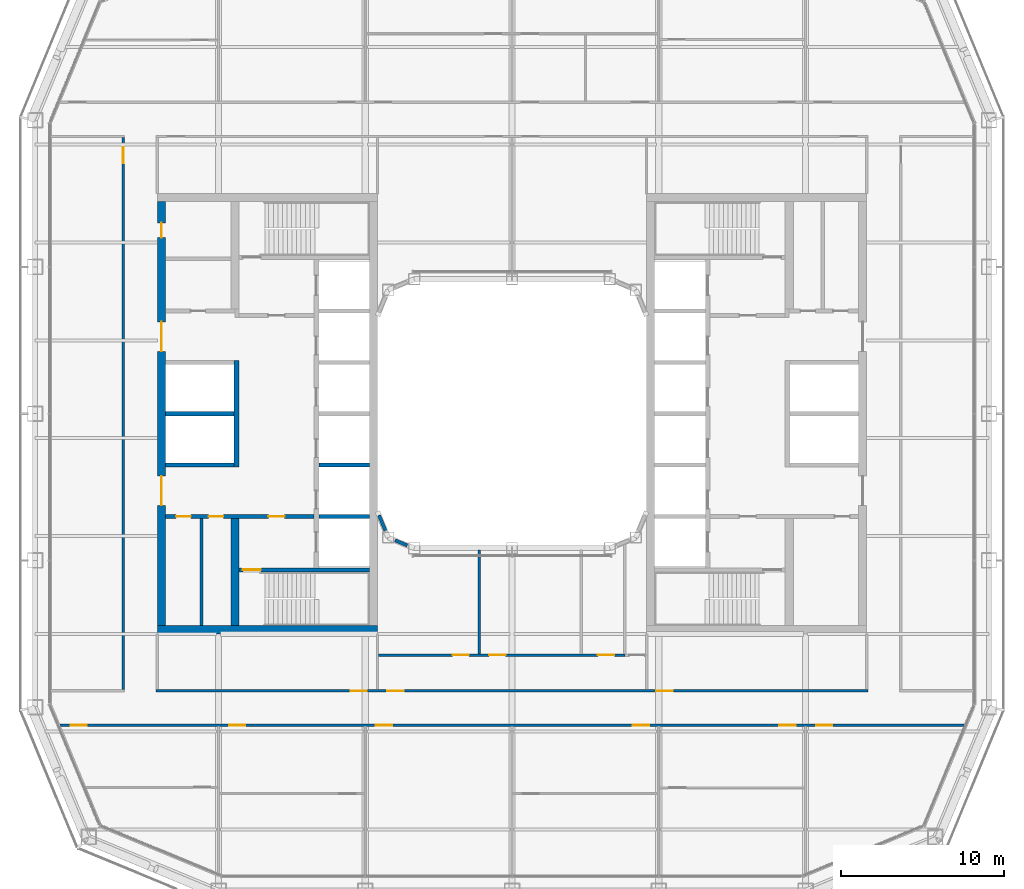
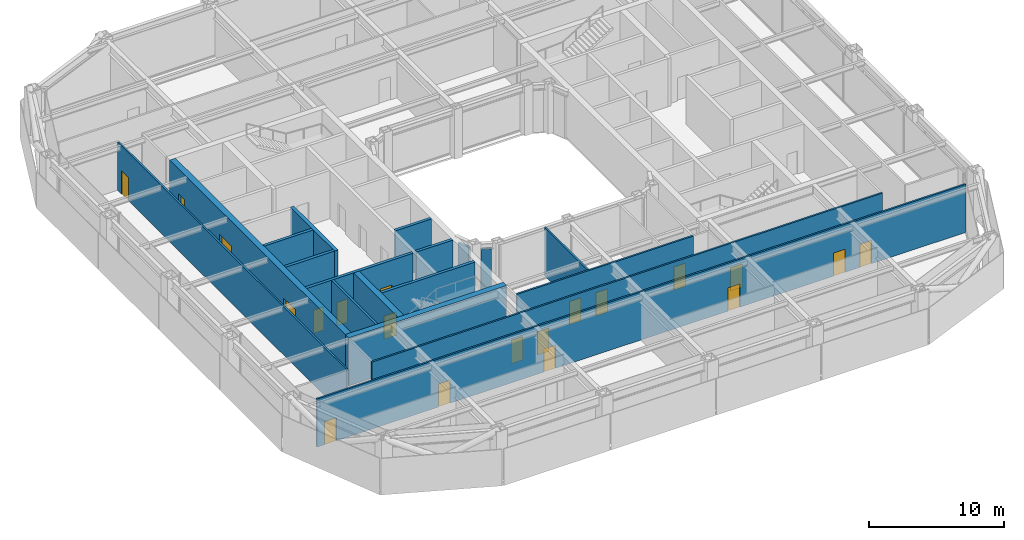
# One storey, part 11 of 21: 20 doors, 18 walls, 20 openings.
"""IFC4 building model written with IfcOpenShell, lengths in metres."""

from ifc_helpers import new_model, si_unit, direction, frame, frame_2d, origin, place, context, subcontext, project, spatial, rectangle, extrude, material, layer, layer_set, type_object, element, fill, save


model = new_model("IFC4")

# Units and contexts
model_context = context("Model", 3, precision=1e-05, world=origin(), true_north=direction((0.0, 1.0)))
body_context = subcontext(model_context, "Body", "Model", "MODEL_VIEW")
ifc_project = project(units=[si_unit("LENGTHUNIT", "METRE"), si_unit("AREAUNIT", "SQUARE_METRE"), si_unit("VOLUMEUNIT", "CUBIC_METRE"), si_unit("PLANEANGLEUNIT", "RADIAN"), si_unit("MASSUNIT", "GRAM", prefix="KILO")], contexts=[model_context])

# Site, building, storey
site_placement = place(None, origin())
site = spatial("IfcSite", under=ifc_project, at=site_placement, CompositionType="ELEMENT")
building_placement = place(site_placement, origin())
building = spatial("IfcBuilding", under=site, at=building_placement, Name="Siwar Civic Tower", CompositionType="ELEMENT")
storey_placement = place(building_placement, frame((0.0, 0.0, 104.699951171875)))
storey = spatial("IfcBuildingStorey", under=building, at=storey_placement, Name="L22", CompositionType="ELEMENT", Elevation=104.699951171875)

# Wall
ifc_material_1 = material(Name="Gypsum board on steel studs", Category="steel")
ifc_layer_1 = layer(ifc_material_1, 0.199951171875)
ifc_layer_set_1 = layer_set([ifc_layer_1], Name="Gypsum board on steel studs")
wall_type_1 = type_object("IfcWallType", Name="CORE-PARTITION-200", PredefinedType="PARTITIONING", material=ifc_layer_set_1)
wall_1_placement = place(storey_placement, frame((-19.050048828125, -13.0, 0.0), z_axis=(0.0, 0.0, 1.0), x_axis=(0.0, 1.0, 0.0)))
element("IfcWall", 1, at=wall_1_placement, inside=storey, type_object=wall_type_1, Name="Core partition W", PredefinedType="PARTITIONING", context=body_context, shape_type="SweptSolid", body=[
    extrude(rectangle(XDim=6.574951171875, YDim=0.199951171875, at=frame_2d((3.28759765625, 0.0))), origin(), (0.0, 0.0, 1.0), 4.35009765625),
])

# Wall, openings, doors
ifc_material_2 = material(Name="Concrete C60/75", Category="concrete")
ifc_layer_2 = layer(ifc_material_2, 0.25)
ifc_layer_set_2 = layer_set([ifc_layer_2], Name="Concrete C60/75")
wall_type_2 = type_object("IfcWallType", Name="CORE-WALL-RC250", PredefinedType="SHEAR", material=ifc_layer_set_2)
wall_2_placement = place(storey_placement, frame((-12.14990234375, -6.300048828125, 0.0), z_axis=(0.0, 0.0, 1.0), x_axis=(-1.0, 0.0, 0.0)))
wall_2 = element("IfcWall", 2, at=wall_2_placement, inside=storey, type_object=wall_type_2, Name="Core wall W", PredefinedType="SHEAR", context=body_context, shape_type="SweptSolid", body=[
    extrude(rectangle(XDim=9.10009765625, YDim=0.25, at=frame_2d((4.550048828125, 0.0))), origin(), (0.0, 0.0, 1.0), 4.35009765625),
])
opening_1_placement = place(wall_2_placement, frame((1.800048828125, 0.0, 0.0)))
opening_1 = element("IfcOpeningElement", 3, at=opening_1_placement, cuts=wall_2, Name="Opening L22-CW02", PredefinedType="OPENING", context=body_context, shape_type="SweptSolid", body=[
    extrude(rectangle(XDim=1.0, YDim=2.10009765625, at=frame_2d((0.5, 1.050048828125))), frame((0.0, 0.135009765625, 0.0), z_axis=(0.0, -1.0, 0.0), x_axis=(1.0, 0.0, 0.0)), (0.0, 0.0, 1.0), 0.27001953125),
])
opening_2_placement = place(wall_2_placement, frame((5.550048828125, 0.0, 0.0)))
opening_2 = element("IfcOpeningElement", 4, at=opening_2_placement, cuts=wall_2, Name="Opening L22-CW15", PredefinedType="OPENING", context=body_context, shape_type="SweptSolid", body=[
    extrude(rectangle(XDim=0.89990234375, YDim=2.10009765625, at=frame_2d((0.449951171875, 1.050048828125))), frame((0.0, 0.135009765625, 0.0), z_axis=(0.0, -1.0, 0.0), x_axis=(1.0, 0.0, 0.0)), (0.0, 0.0, 1.0), 0.27001953125),
])
opening_3_placement = place(wall_2_placement, frame((7.550048828125, 0.0, 0.0)))
opening_3 = element("IfcOpeningElement", 5, at=opening_3_placement, cuts=wall_2, Name="Opening L22-CW16", PredefinedType="OPENING", context=body_context, shape_type="SweptSolid", body=[
    extrude(rectangle(XDim=0.89990234375, YDim=2.10009765625, at=frame_2d((0.449951171875, 1.050048828125))), frame((0.0, 0.135009765625, 0.0), z_axis=(0.0, -1.0, 0.0), x_axis=(1.0, 0.0, 0.0)), (0.0, 0.0, 1.0), 0.27001953125),
])
ifc_material_3 = material(Name="Steel door leaf", Category="steel")
door_type_1 = type_object("IfcDoorType", Name="CORE-DOOR-FD30S", OperationType="SINGLE_SWING_LEFT", PredefinedType="DOOR", material=ifc_material_3)
door_1_placement = place(opening_1_placement, origin())
door_1 = element("IfcDoor", 6, at=door_1_placement, inside=storey, type_object=door_type_1, Name="Service lobby door L22-CW02", OperationType="SINGLE_SWING_RIGHT", OverallHeight=2.10009765625, OverallWidth=1.0, PredefinedType="DOOR", context=body_context, shape_type="SweptSolid", body=[
    extrude(rectangle(XDim=1.0, YDim=2.10009765625, at=frame_2d((0.5, 1.050048828125))), frame((0.0, 0.02490234375, 0.0), z_axis=(0.0, -1.0, 0.0), x_axis=(1.0, 0.0, 0.0)), (0.0, 0.0, 1.0), 0.050048828125),
])
fill(opening_1, door_1)
ifc_material_4 = material(Name="Steel door leaf", Category="steel")
door_type_2 = type_object("IfcDoorType", Name="CORE-DOOR-ROOM", OperationType="SINGLE_SWING_LEFT", PredefinedType="DOOR", material=ifc_material_4)
door_2_placement = place(opening_2_placement, origin())
door_2 = element("IfcDoor", 7, at=door_2_placement, inside=storey, type_object=door_type_2, Name="Core room door L22-CW15", OperationType="SINGLE_SWING_LEFT", OverallHeight=2.10009765625, OverallWidth=0.89990234375, PredefinedType="DOOR", context=body_context, shape_type="SweptSolid", body=[
    extrude(rectangle(XDim=0.89990234375, YDim=2.10009765625, at=frame_2d((0.449951171875, 1.050048828125))), frame((0.0, 0.02490234375, 0.0), z_axis=(0.0, -1.0, 0.0), x_axis=(1.0, 0.0, 0.0)), (0.0, 0.0, 1.0), 0.050048828125),
])
fill(opening_2, door_2)
door_3_placement = place(opening_3_placement, origin())
door_3 = element("IfcDoor", 8, at=door_3_placement, inside=storey, type_object=door_type_2, Name="Core room door L22-CW16", OperationType="SINGLE_SWING_RIGHT", OverallHeight=2.10009765625, OverallWidth=0.89990234375, PredefinedType="DOOR", context=body_context, shape_type="SweptSolid", body=[
    extrude(rectangle(XDim=0.89990234375, YDim=2.10009765625, at=frame_2d((0.449951171875, 1.050048828125))), frame((0.0, 0.02490234375, 0.0), z_axis=(0.0, -1.0, 0.0), x_axis=(1.0, 0.0, 0.0)), (0.0, 0.0, 1.0), 0.050048828125),
])
fill(opening_3, door_3)

# Walls
for number, where, z_axis, x_axis, name in (
    (9, (-17.050048828125, 0.0, 0.0), (0.0, 0.0, 1.0), (-1.0, 0.0, 0.0), "Core wall W"),
    (10, (-17.050048828125, -3.14990234375, 0.0), (0.0, 0.0, 1.0), (-1.0, 0.0, 0.0), "Core wall W"),
):
    element("IfcWall", number, at=place(storey_placement, frame(where, z_axis=z_axis, x_axis=x_axis)), inside=storey, type_object=wall_type_2, Name=name, PredefinedType="SHEAR", context=body_context, shape_type="SweptSolid", body=[
        extrude(rectangle(XDim=4.199951171875, YDim=0.25, at=frame_2d((2.10009765625, 0.0))), origin(), (0.0, 0.0, 1.0), 4.35009765625),
    ])
for number, where, z_axis, x_axis, name in (
    (11, (-8.75, -3.14990234375, 0.0), (0.0, 0.0, 1.0), (-1.0, 0.0, 0.0), "Core wall W"),
    (12, (-8.75, -6.300048828125, 0.0), (0.0, 0.0, 1.0), (-1.0, 0.0, 0.0), "Core wall W"),
):
    element("IfcWall", number, at=place(storey_placement, frame(where, z_axis=z_axis, x_axis=x_axis)), inside=storey, type_object=wall_type_2, Name=name, PredefinedType="SHEAR", context=body_context, shape_type="SweptSolid", body=[
        extrude(rectangle(XDim=3.10009765625, YDim=0.25, at=frame_2d((1.550048828125, 0.0))), origin(), (0.0, 0.0, 1.0), 4.35009765625),
    ])

# Wall, opening, door
wall_3_placement = place(storey_placement, frame((-8.75, -9.574951171875, 0.0), z_axis=(0.0, 0.0, 1.0), x_axis=(-1.0, 0.0, 0.0)))
wall_3 = element("IfcWall", 13, at=wall_3_placement, inside=storey, type_object=wall_type_2, Name="Core wall W", PredefinedType="SHEAR", context=body_context, shape_type="SweptSolid", body=[
    extrude(rectangle(XDim=8.0, YDim=0.25, at=frame_2d((4.0, 0.0))), origin(), (0.0, 0.0, 1.0), 4.35009765625),
])
opening_4_placement = place(wall_3_placement, frame((6.64990234375, 0.0, 0.0)))
opening_4 = element("IfcOpeningElement", 14, at=opening_4_placement, cuts=wall_3, Name="Opening L22-CW04", PredefinedType="OPENING", context=body_context, shape_type="SweptSolid", body=[
    extrude(rectangle(XDim=1.10009765625, YDim=2.10009765625, at=frame_2d((0.550048828125, 1.050048828125))), frame((0.0, 0.135009765625, 0.0), z_axis=(0.0, -1.0, 0.0), x_axis=(1.0, 0.0, 0.0)), (0.0, 0.0, 1.0), 0.27001953125),
])
ifc_material_5 = material(Name="Steel door leaf", Category="steel")
door_type_3 = type_object("IfcDoorType", Name="CORE-DOOR-FD60S", OperationType="SINGLE_SWING_LEFT", PredefinedType="DOOR", material=ifc_material_5)
door_4_placement = place(opening_4_placement, origin())
door_4 = element("IfcDoor", 15, at=door_4_placement, inside=storey, type_object=door_type_3, Name="Stair door L22-CW04", OperationType="SINGLE_SWING_LEFT", OverallHeight=2.10009765625, OverallWidth=1.10009765625, PredefinedType="DOOR", context=body_context, shape_type="SweptSolid", body=[
    extrude(rectangle(XDim=1.10009765625, YDim=2.10009765625, at=frame_2d((0.550048828125, 1.050048828125))), frame((0.0, 0.02490234375, 0.0), z_axis=(0.0, -1.0, 0.0), x_axis=(1.0, 0.0, 0.0)), (0.0, 0.0, 1.0), 0.050048828125),
])
fill(opening_4, door_4)

# Wall
ifc_material_6 = material(Name="Concrete C60/75", Category="concrete")
ifc_layer_3 = layer(ifc_material_6, 0.300048828125)
ifc_layer_set_3 = layer_set([ifc_layer_3], Name="Concrete C60/75")
wall_type_3 = type_object("IfcWallType", Name="CORE-WALL-RC300", PredefinedType="SHEAR", material=ifc_layer_set_3)
wall_4_placement = place(storey_placement, frame((-16.89990234375, -3.27490234375, 0.0), z_axis=(0.0, 0.0, 1.0), x_axis=(0.0, 1.0, 0.0)))
element("IfcWall", 16, at=wall_4_placement, inside=storey, type_object=wall_type_3, Name="Core wall W", PredefinedType="SHEAR", context=body_context, shape_type="SweptSolid", body=[
    extrude(rectangle(XDim=6.5498046875, YDim=0.300048828125, at=frame_2d((3.27490234375, 0.0))), origin(), (0.0, 0.0, 1.0), 4.35009765625),
])

# Wall, openings, doors
ifc_material_7 = material(Name="Concrete C60/75", Category="concrete")
ifc_layer_4 = layer(ifc_material_7, 0.5)
ifc_layer_set_4 = layer_set([ifc_layer_4], Name="Concrete C60/75")
wall_type_4 = type_object("IfcWallType", Name="CORE-WALL-RC500", PredefinedType="SHEAR", material=ifc_layer_set_4)
wall_5_placement = place(storey_placement, frame((-21.5, -13.0, 0.0), z_axis=(0.0, 0.0, 1.0), x_axis=(0.0, 1.0, 0.0)))
wall_5 = element("IfcWall", 17, at=wall_5_placement, inside=storey, type_object=wall_type_4, Name="Core wall W", PredefinedType="SHEAR", context=body_context, shape_type="SweptSolid", body=[
    extrude(rectangle(XDim=26.0, YDim=0.5, at=frame_2d((13.0, 0.0))), origin(), (0.0, 0.0, 1.0), 4.35009765625),
])
opening_5_placement = place(wall_5_placement, frame((16.824951171875, 0.0, 0.0)))
opening_5 = element("IfcOpeningElement", 18, at=opening_5_placement, cuts=wall_5, Name="Opening L22-CW05", PredefinedType="OPENING", context=body_context, shape_type="SweptSolid", body=[
    extrude(rectangle(XDim=1.800048828125, YDim=2.10009765625, at=frame_2d((0.89990234375, 1.050048828125))), frame((0.0, 0.260009765625, 0.0), z_axis=(0.0, -1.0, 0.0), x_axis=(1.0, 0.0, 0.0)), (0.0, 0.0, 1.0), 0.52001953125),
])
opening_6_placement = place(wall_5_placement, frame((7.375, 0.0, 0.0)))
opening_6 = element("IfcOpeningElement", 19, at=opening_6_placement, cuts=wall_5, Name="Opening L22-CW06", PredefinedType="OPENING", context=body_context, shape_type="SweptSolid", body=[
    extrude(rectangle(XDim=1.800048828125, YDim=2.10009765625, at=frame_2d((0.89990234375, 1.050048828125))), frame((0.0, 0.260009765625, 0.0), z_axis=(0.0, -1.0, 0.0), x_axis=(1.0, 0.0, 0.0)), (0.0, 0.0, 1.0), 0.52001953125),
])
opening_7_placement = place(wall_5_placement, frame((23.800048828125, 0.0, 0.0)))
opening_7 = element("IfcOpeningElement", 20, at=opening_7_placement, cuts=wall_5, Name="Opening L22-CW14", PredefinedType="OPENING", context=body_context, shape_type="SweptSolid", body=[
    extrude(rectangle(XDim=0.89990234375, YDim=2.10009765625, at=frame_2d((0.449951171875, 1.050048828125))), frame((0.0, 0.260009765625, 0.0), z_axis=(0.0, -1.0, 0.0), x_axis=(1.0, 0.0, 0.0)), (0.0, 0.0, 1.0), 0.52001953125),
])
ifc_material_8 = material(Name="Steel door leaf", Category="steel")
door_type_4 = type_object("IfcDoorType", Name="CORE-DOOR-PORT", OperationType="DOUBLE_DOOR_DOUBLE_SWING", PredefinedType="DOOR", material=ifc_material_8)
door_5_placement = place(opening_5_placement, origin())
door_5 = element("IfcDoor", 21, at=door_5_placement, inside=storey, type_object=door_type_4, Name="Core entrance door L22-CW05", OperationType="DOUBLE_DOOR_DOUBLE_SWING", OverallHeight=2.10009765625, OverallWidth=1.800048828125, PredefinedType="DOOR", context=body_context, shape_type="SweptSolid", body=[
    extrude(rectangle(XDim=1.800048828125, YDim=2.10009765625, at=frame_2d((0.89990234375, 1.050048828125))), frame((0.0, 0.02490234375, 0.0), z_axis=(0.0, -1.0, 0.0), x_axis=(1.0, 0.0, 0.0)), (0.0, 0.0, 1.0), 0.050048828125),
])
fill(opening_5, door_5)
door_6_placement = place(opening_6_placement, origin())
door_6 = element("IfcDoor", 22, at=door_6_placement, inside=storey, type_object=door_type_4, Name="Core entrance door L22-CW06", OperationType="DOUBLE_DOOR_DOUBLE_SWING", OverallHeight=2.10009765625, OverallWidth=1.800048828125, PredefinedType="DOOR", context=body_context, shape_type="SweptSolid", body=[
    extrude(rectangle(XDim=1.800048828125, YDim=2.10009765625, at=frame_2d((0.89990234375, 1.050048828125))), frame((0.0, 0.02490234375, 0.0), z_axis=(0.0, -1.0, 0.0), x_axis=(1.0, 0.0, 0.0)), (0.0, 0.0, 1.0), 0.050048828125),
])
fill(opening_6, door_6)
door_7_placement = place(opening_7_placement, origin())
door_7 = element("IfcDoor", 23, at=door_7_placement, inside=storey, type_object=door_type_2, Name="Core room door L22-CW14", OperationType="SINGLE_SWING_LEFT", OverallHeight=2.10009765625, OverallWidth=0.89990234375, PredefinedType="DOOR", context=body_context, shape_type="SweptSolid", body=[
    extrude(rectangle(XDim=0.89990234375, YDim=2.10009765625, at=frame_2d((0.449951171875, 1.050048828125))), frame((0.0, 0.02490234375, 0.0), z_axis=(0.0, -1.0, 0.0), x_axis=(1.0, 0.0, 0.0)), (0.0, 0.0, 1.0), 0.050048828125),
])
fill(opening_7, door_7)

# Walls
wall_6_placement = place(storey_placement, frame((-17.0, -13.0, 0.0), z_axis=(0.0, 0.0, 1.0), x_axis=(0.0, 1.0, 0.0)))
element("IfcWall", 24, at=wall_6_placement, inside=storey, type_object=wall_type_4, Name="Core wall W", PredefinedType="SHEAR", context=body_context, shape_type="SweptSolid", body=[
    extrude(rectangle(XDim=6.574951171875, YDim=0.5, at=frame_2d((3.28759765625, 0.0))), origin(), (0.0, 0.0, 1.0), 4.35009765625),
])
wall_7_placement = place(storey_placement, frame((-8.25, -13.25, 0.0), z_axis=(0.0, 0.0, 1.0), x_axis=(-1.0, 0.0, 0.0)))
element("IfcWall", 25, at=wall_7_placement, inside=storey, type_object=wall_type_4, Name="Core wall W", PredefinedType="SHEAR", context=body_context, shape_type="SweptSolid", body=[
    extrude(rectangle(XDim=13.5, YDim=0.5, at=frame_2d((6.75, 0.0))), origin(), (0.0, 0.0, 1.0), 4.35009765625),
])

# Wall, openings, doors
ifc_material_9 = material(Name="Gypsum board on steel studs", Category="steel")
ifc_layer_5 = layer(ifc_material_9, 0.14990234375)
ifc_layer_set_5 = layer_set([ifc_layer_5], Name="Gypsum board on steel studs")
wall_type_5 = type_object("IfcWallType", Name="CORRIDOR PARTITION 150 EI 30", PredefinedType="PARTITIONING", material=ifc_layer_set_5)
wall_8_placement = place(storey_placement, frame((-27.722900390625, -19.10009765625, 0.0), z_axis=(0.0, 0.0, 1.0), x_axis=(1.0, 0.0, 0.0)))
wall_8 = element("IfcWall", 26, at=wall_8_placement, inside=storey, type_object=wall_type_5, Name="L22/wall/P05", PredefinedType="PARTITIONING", context=body_context, shape_type="SweptSolid", body=[
    extrude(rectangle(XDim=55.44580078125, YDim=0.14990234375, at=frame_2d((27.722900390625, 0.0))), origin(), (0.0, 0.0, 1.0), 4.35009765625),
])
opening_8_placement = place(wall_8_placement, frame((10.373046875, 0.0, 0.0)))
opening_8 = element("IfcOpeningElement", 27, at=opening_8_placement, cuts=wall_8, Name="Opening D1", PredefinedType="OPENING", context=body_context, shape_type="SweptSolid", body=[
    extrude(rectangle(XDim=1.0, YDim=2.10009765625, at=frame_2d((0.5, 1.050048828125))), frame((0.0, 0.0849609375, 0.0), z_axis=(0.0, -1.0, 0.0), x_axis=(1.0, 0.0, 0.0)), (0.0, 0.0, 1.0), 0.169921875),
])
opening_9_placement = place(wall_8_placement, frame((19.373046875, 0.0, 0.0)))
opening_9 = element("IfcOpeningElement", 28, at=opening_9_placement, cuts=wall_8, Name="Opening D1", PredefinedType="OPENING", context=body_context, shape_type="SweptSolid", body=[
    extrude(rectangle(XDim=1.0, YDim=2.10009765625, at=frame_2d((0.5, 1.050048828125))), frame((0.0, 0.0849609375, 0.0), z_axis=(0.0, -1.0, 0.0), x_axis=(1.0, 0.0, 0.0)), (0.0, 0.0, 1.0), 0.169921875),
])
opening_10_placement = place(wall_8_placement, frame((35.123046875, 0.0, 0.0)))
opening_10 = element("IfcOpeningElement", 29, at=opening_10_placement, cuts=wall_8, Name="Opening D1", PredefinedType="OPENING", context=body_context, shape_type="SweptSolid", body=[
    extrude(rectangle(XDim=1.0, YDim=2.10009765625, at=frame_2d((0.5, 1.050048828125))), frame((0.0, 0.0849609375, 0.0), z_axis=(0.0, -1.0, 0.0), x_axis=(1.0, 0.0, 0.0)), (0.0, 0.0, 1.0), 0.169921875),
])
opening_11_placement = place(wall_8_placement, frame((44.123046875, 0.0, 0.0)))
opening_11 = element("IfcOpeningElement", 30, at=opening_11_placement, cuts=wall_8, Name="Opening D1", PredefinedType="OPENING", context=body_context, shape_type="SweptSolid", body=[
    extrude(rectangle(XDim=1.0, YDim=2.10009765625, at=frame_2d((0.5, 1.050048828125))), frame((0.0, 0.0849609375, 0.0), z_axis=(0.0, -1.0, 0.0), x_axis=(1.0, 0.0, 0.0)), (0.0, 0.0, 1.0), 0.169921875),
])
opening_12_placement = place(wall_8_placement, frame((0.64990234375, 0.0, 0.0)))
opening_12 = element("IfcOpeningElement", 31, at=opening_12_placement, cuts=wall_8, Name="Opening D1", PredefinedType="OPENING", context=body_context, shape_type="SweptSolid", body=[
    extrude(rectangle(XDim=1.0, YDim=2.10009765625, at=frame_2d((0.5, 1.050048828125))), frame((0.0, 0.0849609375, 0.0), z_axis=(0.0, -1.0, 0.0), x_axis=(1.0, 0.0, 0.0)), (0.0, 0.0, 1.0), 0.169921875),
])
opening_13_placement = place(wall_8_placement, frame((46.373046875, 0.0, 0.0)))
opening_13 = element("IfcOpeningElement", 32, at=opening_13_placement, cuts=wall_8, Name="Opening D1", PredefinedType="OPENING", context=body_context, shape_type="SweptSolid", body=[
    extrude(rectangle(XDim=1.0, YDim=2.10009765625, at=frame_2d((0.5, 1.050048828125))), frame((0.0, 0.0849609375, 0.0), z_axis=(0.0, -1.0, 0.0), x_axis=(1.0, 0.0, 0.0)), (0.0, 0.0, 1.0), 0.169921875),
])
ifc_material_10 = material(Name="Timber, painted", Category="wood")
door_type_5 = type_object("IfcDoorType", Name="DOOR 1000 X 2100 FD30", OperationType="SINGLE_SWING_LEFT", PredefinedType="DOOR", material=ifc_material_10)
door_8_placement = place(opening_8_placement, origin())
door_8 = element("IfcDoor", 33, at=door_8_placement, inside=storey, type_object=door_type_5, Name="L22-D09", OperationType="SINGLE_SWING_LEFT", OverallHeight=2.10009765625, OverallWidth=1.0, PredefinedType="DOOR", context=body_context, shape_type="SweptSolid", body=[
    extrude(rectangle(XDim=1.0, YDim=2.10009765625, at=frame_2d((0.5, 1.050048828125))), frame((0.0, 0.02490234375, 0.0), z_axis=(0.0, -1.0, 0.0), x_axis=(1.0, 0.0, 0.0)), (0.0, 0.0, 1.0), 0.050048828125),
])
fill(opening_8, door_8)
door_9_placement = place(opening_9_placement, origin())
door_9 = element("IfcDoor", 34, at=door_9_placement, inside=storey, type_object=door_type_5, Name="L22-D11", OperationType="SINGLE_SWING_LEFT", OverallHeight=2.10009765625, OverallWidth=1.0, PredefinedType="DOOR", context=body_context, shape_type="SweptSolid", body=[
    extrude(rectangle(XDim=1.0, YDim=2.10009765625, at=frame_2d((0.5, 1.050048828125))), frame((0.0, 0.02490234375, 0.0), z_axis=(0.0, -1.0, 0.0), x_axis=(1.0, 0.0, 0.0)), (0.0, 0.0, 1.0), 0.050048828125),
])
fill(opening_9, door_9)
door_10_placement = place(opening_10_placement, origin())
door_10 = element("IfcDoor", 35, at=door_10_placement, inside=storey, type_object=door_type_5, Name="L22-D12", OperationType="SINGLE_SWING_RIGHT", OverallHeight=2.10009765625, OverallWidth=1.0, PredefinedType="DOOR", context=body_context, shape_type="SweptSolid", body=[
    extrude(rectangle(XDim=1.0, YDim=2.10009765625, at=frame_2d((0.5, 1.050048828125))), frame((0.0, 0.02490234375, 0.0), z_axis=(0.0, -1.0, 0.0), x_axis=(1.0, 0.0, 0.0)), (0.0, 0.0, 1.0), 0.050048828125),
])
fill(opening_10, door_10)
door_11_placement = place(opening_11_placement, origin())
door_11 = element("IfcDoor", 36, at=door_11_placement, inside=storey, type_object=door_type_5, Name="L22-D14", OperationType="SINGLE_SWING_RIGHT", OverallHeight=2.10009765625, OverallWidth=1.0, PredefinedType="DOOR", context=body_context, shape_type="SweptSolid", body=[
    extrude(rectangle(XDim=1.0, YDim=2.10009765625, at=frame_2d((0.5, 1.050048828125))), frame((0.0, 0.02490234375, 0.0), z_axis=(0.0, -1.0, 0.0), x_axis=(1.0, 0.0, 0.0)), (0.0, 0.0, 1.0), 0.050048828125),
])
fill(opening_11, door_11)
door_12_placement = place(opening_12_placement, origin())
door_12 = element("IfcDoor", 37, at=door_12_placement, inside=storey, type_object=door_type_5, Name="L22-D19", OperationType="SINGLE_SWING_LEFT", OverallHeight=2.10009765625, OverallWidth=1.0, PredefinedType="DOOR", context=body_context, shape_type="SweptSolid", body=[
    extrude(rectangle(XDim=1.0, YDim=2.10009765625, at=frame_2d((0.5, 1.050048828125))), frame((0.0, 0.02490234375, 0.0), z_axis=(0.0, -1.0, 0.0), x_axis=(1.0, 0.0, 0.0)), (0.0, 0.0, 1.0), 0.050048828125),
])
fill(opening_12, door_12)
door_13_placement = place(opening_13_placement, origin())
door_13 = element("IfcDoor", 38, at=door_13_placement, inside=storey, type_object=door_type_5, Name="L22-D21", OperationType="SINGLE_SWING_LEFT", OverallHeight=2.10009765625, OverallWidth=1.0, PredefinedType="DOOR", context=body_context, shape_type="SweptSolid", body=[
    extrude(rectangle(XDim=1.0, YDim=2.10009765625, at=frame_2d((0.5, 1.050048828125))), frame((0.0, 0.02490234375, 0.0), z_axis=(0.0, -1.0, 0.0), x_axis=(1.0, 0.0, 0.0)), (0.0, 0.0, 1.0), 0.050048828125),
])
fill(opening_13, door_13)

wall_9_placement = place(storey_placement, frame((-21.824951171875, -17.0, 0.0), z_axis=(0.0, 0.0, 1.0), x_axis=(1.0, 0.0, 0.0)))
wall_9 = element("IfcWall", 39, at=wall_9_placement, inside=storey, type_object=wall_type_5, Name="L22/wall/P07", PredefinedType="PARTITIONING", context=body_context, shape_type="SweptSolid", body=[
    extrude(rectangle(XDim=43.64990234375, YDim=0.14990234375, at=frame_2d((21.824951171875, 0.0))), origin(), (0.0, 0.0, 1.0), 4.35009765625),
])
opening_14_placement = place(wall_9_placement, frame((14.175048828125, 0.0, 0.0)))
opening_14 = element("IfcOpeningElement", 40, at=opening_14_placement, cuts=wall_9, Name="Opening D1", PredefinedType="OPENING", context=body_context, shape_type="SweptSolid", body=[
    extrude(rectangle(XDim=1.0, YDim=2.10009765625, at=frame_2d((0.5, 1.050048828125))), frame((0.0, 0.0849609375, 0.0), z_axis=(0.0, -1.0, 0.0), x_axis=(1.0, 0.0, 0.0)), (0.0, 0.0, 1.0), 0.169921875),
])
opening_15_placement = place(wall_9_placement, frame((11.925048828125, 0.0, 0.0)))
opening_15 = element("IfcOpeningElement", 41, at=opening_15_placement, cuts=wall_9, Name="Opening D1", PredefinedType="OPENING", context=body_context, shape_type="SweptSolid", body=[
    extrude(rectangle(XDim=1.0, YDim=2.10009765625, at=frame_2d((0.5, 1.050048828125))), frame((0.0, 0.0849609375, 0.0), z_axis=(0.0, -1.0, 0.0), x_axis=(1.0, 0.0, 0.0)), (0.0, 0.0, 1.0), 0.169921875),
])
opening_16_placement = place(wall_9_placement, frame((30.675048828125, 0.0, 0.0)))
opening_16 = element("IfcOpeningElement", 42, at=opening_16_placement, cuts=wall_9, Name="Opening D1", PredefinedType="OPENING", context=body_context, shape_type="SweptSolid", body=[
    extrude(rectangle(XDim=1.0, YDim=2.10009765625, at=frame_2d((0.5, 1.050048828125))), frame((0.0, 0.0849609375, 0.0), z_axis=(0.0, -1.0, 0.0), x_axis=(1.0, 0.0, 0.0)), (0.0, 0.0, 1.0), 0.169921875),
])
door_14_placement = place(opening_14_placement, origin())
door_14 = element("IfcDoor", 43, at=door_14_placement, inside=storey, type_object=door_type_5, Name="L22-D24", OperationType="SINGLE_SWING_RIGHT", OverallHeight=2.10009765625, OverallWidth=1.0, PredefinedType="DOOR", context=body_context, shape_type="SweptSolid", body=[
    extrude(rectangle(XDim=1.0, YDim=2.10009765625, at=frame_2d((0.5, 1.050048828125))), frame((0.0, 0.02490234375, 0.0), z_axis=(0.0, -1.0, 0.0), x_axis=(1.0, 0.0, 0.0)), (0.0, 0.0, 1.0), 0.050048828125),
])
fill(opening_14, door_14)
door_15_placement = place(opening_15_placement, origin())
door_15 = element("IfcDoor", 44, at=door_15_placement, inside=storey, type_object=door_type_5, Name="L22-D31", OperationType="SINGLE_SWING_LEFT", OverallHeight=2.10009765625, OverallWidth=1.0, PredefinedType="DOOR", context=body_context, shape_type="SweptSolid", body=[
    extrude(rectangle(XDim=1.0, YDim=2.10009765625, at=frame_2d((0.5, 1.050048828125))), frame((0.0, 0.02490234375, 0.0), z_axis=(0.0, -1.0, 0.0), x_axis=(1.0, 0.0, 0.0)), (0.0, 0.0, 1.0), 0.050048828125),
])
fill(opening_15, door_15)
door_16_placement = place(opening_16_placement, origin())
door_16 = element("IfcDoor", 45, at=door_16_placement, inside=storey, type_object=door_type_5, Name="L22-D32", OperationType="SINGLE_SWING_RIGHT", OverallHeight=2.10009765625, OverallWidth=1.0, PredefinedType="DOOR", context=body_context, shape_type="SweptSolid", body=[
    extrude(rectangle(XDim=1.0, YDim=2.10009765625, at=frame_2d((0.5, 1.050048828125))), frame((0.0, 0.02490234375, 0.0), z_axis=(0.0, -1.0, 0.0), x_axis=(1.0, 0.0, 0.0)), (0.0, 0.0, 1.0), 0.050048828125),
])
fill(opening_16, door_16)

wall_10_placement = place(storey_placement, frame((-8.175048828125, -14.800048828125, 0.0), z_axis=(0.0, 0.0, 1.0), x_axis=(1.0, 0.0, 0.0)))
wall_10 = element("IfcWall", 46, at=wall_10_placement, inside=storey, type_object=wall_type_5, Name="L22/wall/P09", PredefinedType="PARTITIONING", context=body_context, shape_type="SweptSolid", body=[
    extrude(rectangle(XDim=15.094970703125, YDim=0.14990234375, at=frame_2d((7.54736328125, 0.0))), origin(), (0.0, 0.0, 1.0), 4.35009765625),
])
opening_17_placement = place(wall_10_placement, frame((4.52490234375, 0.0, 0.0)))
opening_17 = element("IfcOpeningElement", 47, at=opening_17_placement, cuts=wall_10, Name="Opening D3", PredefinedType="OPENING", context=body_context, shape_type="SweptSolid", body=[
    extrude(rectangle(XDim=1.0, YDim=2.10009765625, at=frame_2d((0.5, 1.050048828125))), frame((0.0, 0.0849609375, 0.0), z_axis=(0.0, -1.0, 0.0), x_axis=(1.0, 0.0, 0.0)), (0.0, 0.0, 1.0), 0.169921875),
])
opening_18_placement = place(wall_10_placement, frame((6.77490234375, 0.0, 0.0)))
opening_18 = element("IfcOpeningElement", 48, at=opening_18_placement, cuts=wall_10, Name="Opening D3", PredefinedType="OPENING", context=body_context, shape_type="SweptSolid", body=[
    extrude(rectangle(XDim=1.0, YDim=2.10009765625, at=frame_2d((0.5, 1.050048828125))), frame((0.0, 0.0849609375, 0.0), z_axis=(0.0, -1.0, 0.0), x_axis=(1.0, 0.0, 0.0)), (0.0, 0.0, 1.0), 0.169921875),
])
opening_19_placement = place(wall_10_placement, frame((13.445068359375, 0.0, 0.0)))
opening_19 = element("IfcOpeningElement", 49, at=opening_19_placement, cuts=wall_10, Name="Opening D3", PredefinedType="OPENING", context=body_context, shape_type="SweptSolid", body=[
    extrude(rectangle(XDim=1.0, YDim=2.10009765625, at=frame_2d((0.5, 1.050048828125))), frame((0.0, 0.0849609375, 0.0), z_axis=(0.0, -1.0, 0.0), x_axis=(1.0, 0.0, 0.0)), (0.0, 0.0, 1.0), 0.169921875),
])
ifc_material_11 = material(Name="Timber, painted", Category="wood")
door_type_6 = type_object("IfcDoorType", Name="DOOR 1000 X 2100 WC", OperationType="SINGLE_SWING_LEFT", PredefinedType="DOOR", material=ifc_material_11)
door_17_placement = place(opening_17_placement, origin())
door_17 = element("IfcDoor", 50, at=door_17_placement, inside=storey, type_object=door_type_6, Name="L22-D25", OperationType="SINGLE_SWING_LEFT", OverallHeight=2.10009765625, OverallWidth=1.0, PredefinedType="DOOR", context=body_context, shape_type="SweptSolid", body=[
    extrude(rectangle(XDim=1.0, YDim=2.10009765625, at=frame_2d((0.5, 1.050048828125))), frame((0.0, 0.02490234375, 0.0), z_axis=(0.0, -1.0, 0.0), x_axis=(1.0, 0.0, 0.0)), (0.0, 0.0, 1.0), 0.050048828125),
])
fill(opening_17, door_17)
door_18_placement = place(opening_18_placement, origin())
door_18 = element("IfcDoor", 51, at=door_18_placement, inside=storey, type_object=door_type_6, Name="L22-D26", OperationType="SINGLE_SWING_RIGHT", OverallHeight=2.10009765625, OverallWidth=1.0, PredefinedType="DOOR", context=body_context, shape_type="SweptSolid", body=[
    extrude(rectangle(XDim=1.0, YDim=2.10009765625, at=frame_2d((0.5, 1.050048828125))), frame((0.0, 0.02490234375, 0.0), z_axis=(0.0, -1.0, 0.0), x_axis=(1.0, 0.0, 0.0)), (0.0, 0.0, 1.0), 0.050048828125),
])
fill(opening_18, door_18)
door_19_placement = place(opening_19_placement, origin())
door_19 = element("IfcDoor", 52, at=door_19_placement, inside=storey, type_object=door_type_6, Name="L22-D27", OperationType="SINGLE_SWING_LEFT", OverallHeight=2.10009765625, OverallWidth=1.0, PredefinedType="DOOR", context=body_context, shape_type="SweptSolid", body=[
    extrude(rectangle(XDim=1.0, YDim=2.10009765625, at=frame_2d((0.5, 1.050048828125))), frame((0.0, 0.02490234375, 0.0), z_axis=(0.0, -1.0, 0.0), x_axis=(1.0, 0.0, 0.0)), (0.0, 0.0, 1.0), 0.050048828125),
])
fill(opening_19, door_19)

# Wall, opening, door
wall_11_placement = place(storey_placement, frame((-23.85009765625, -16.925048828125, 0.0), z_axis=(0.0, 0.0, 1.0), x_axis=(0.0, 1.0, 0.0)))
wall_11 = element("IfcWall", 53, at=wall_11_placement, inside=storey, type_object=wall_type_5, Name="L22/wall/P18", PredefinedType="PARTITIONING", context=body_context, shape_type="SweptSolid", body=[
    extrude(rectangle(XDim=33.85009765625, YDim=0.14990234375, at=frame_2d((16.925048828125, 0.0))), origin(), (0.0, 0.0, 1.0), 4.35009765625),
])
opening_20_placement = place(wall_11_placement, frame((32.27490234375, 0.0, 0.0)))
opening_20 = element("IfcOpeningElement", 54, at=opening_20_placement, cuts=wall_11, Name="Opening D1", PredefinedType="OPENING", context=body_context, shape_type="SweptSolid", body=[
    extrude(rectangle(XDim=1.0, YDim=2.10009765625, at=frame_2d((0.5, 1.050048828125))), frame((0.0, 0.0849609375, 0.0), z_axis=(0.0, -1.0, 0.0), x_axis=(1.0, 0.0, 0.0)), (0.0, 0.0, 1.0), 0.169921875),
])
door_20_placement = place(opening_20_placement, origin())
door_20 = element("IfcDoor", 55, at=door_20_placement, inside=storey, type_object=door_type_5, Name="L22-D33", OperationType="SINGLE_SWING_LEFT", OverallHeight=2.10009765625, OverallWidth=1.0, PredefinedType="DOOR", context=body_context, shape_type="SweptSolid", body=[
    extrude(rectangle(XDim=1.0, YDim=2.10009765625, at=frame_2d((0.5, 1.050048828125))), frame((0.0, 0.02490234375, 0.0), z_axis=(0.0, -1.0, 0.0), x_axis=(1.0, 0.0, 0.0)), (0.0, 0.0, 1.0), 0.050048828125),
])
fill(opening_20, door_20)

# Walls
wall_12_placement = place(storey_placement, frame((-2.0, -14.72509765625, 0.0), z_axis=(0.0, 0.0, 1.0), x_axis=(0.0, 1.0, 0.0)))
element("IfcWall", 56, at=wall_12_placement, inside=storey, type_object=wall_type_5, Name="L22/wall/P27", PredefinedType="PARTITIONING", context=body_context, shape_type="SweptSolid", body=[
    extrude(rectangle(XDim=6.35498046875, YDim=0.14990234375, at=frame_2d((3.177490234375, 0.0))), origin(), (0.0, 0.0, 1.0), 4.35009765625),
])
ifc_material_12 = material(Name="Aluminium clad insulated panel", Category="aluminium")
ifc_layer_6 = layer(ifc_material_12, 0.199951171875)
ifc_layer_set_6 = layer_set([ifc_layer_6], Name="Aluminium clad insulated panel")
wall_type_6 = type_object("IfcWallType", Name="ENV-WALL-WELL", PredefinedType="STANDARD", material=ifc_layer_set_6)
wall_13_placement = place(storey_placement, frame((-8.154296875, -6.23095703125, 0.0), z_axis=(0.0, 0.0, 1.0), x_axis=(0.382769662028, -0.923843810301, 0.0)))
element("IfcWall", 57, at=wall_13_placement, inside=storey, type_object=wall_type_6, Name="Light well corner wall SW1", PredefinedType="STANDARD", context=body_context, shape_type="SweptSolid", body=[
    extrude(rectangle(XDim=1.014892578125, YDim=0.199951171875, at=frame_2d((0.50732421875, 0.0))), origin(), (0.0, 0.0, 1.0), 3.825927734375),
])
wall_14_placement = place(storey_placement, frame((-7.16845703125, -7.765869140625, 0.0), z_axis=(0.0, 0.0, 1.0), x_axis=(0.923817771127, -0.382832503518, 0.0)))
element("IfcWall", 58, at=wall_14_placement, inside=storey, type_object=wall_type_6, Name="Light well corner wall SW2", PredefinedType="STANDARD", context=body_context, shape_type="SweptSolid", body=[
    extrude(rectangle(XDim=0.807373046875, YDim=0.199951171875, at=frame_2d((0.40380859375, 0.0))), origin(), (0.0, 0.0, 1.0), 3.825927734375),
])

save(model, "model.ifc")
